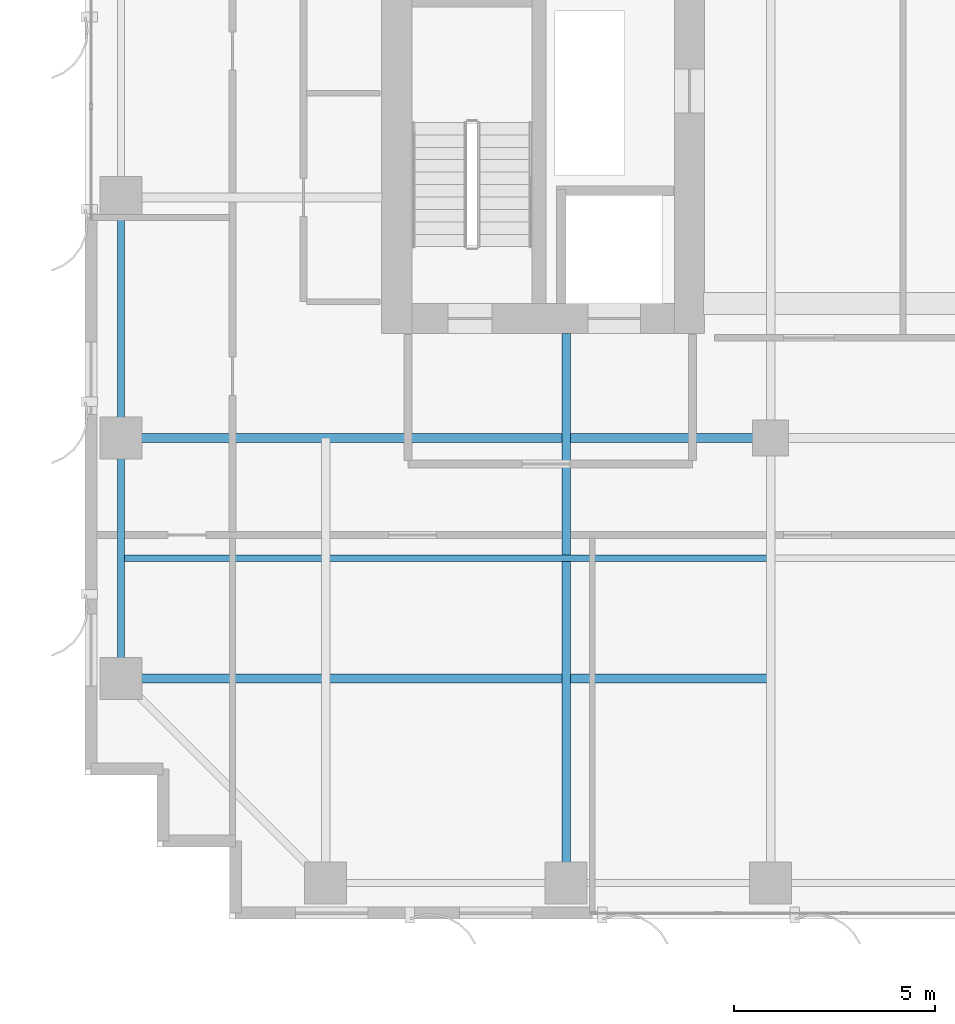
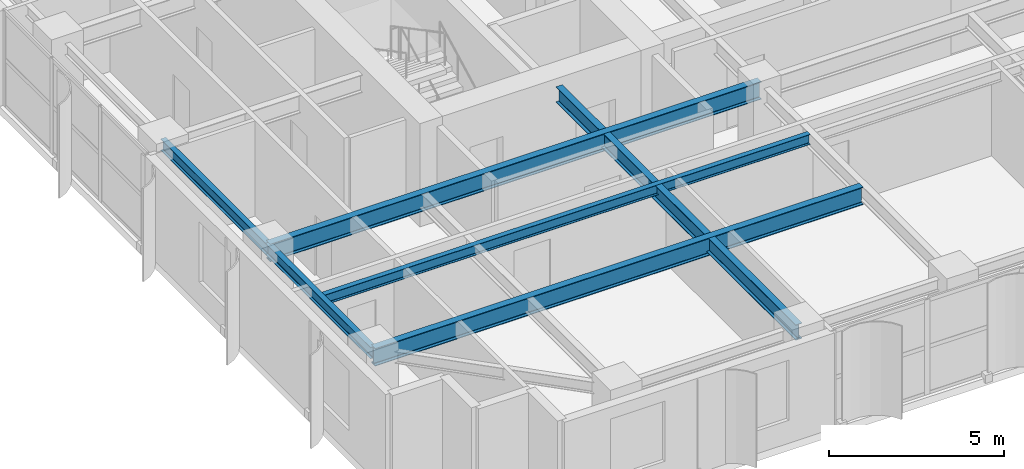
# One storey, part 3 of 22: 6 beams.
"""IFC4 building model written with IfcOpenShell, lengths in metres."""

from ifc_helpers import new_model, si_unit, direction, frame, origin, origin_2d, place, context, subcontext, project, spatial, i_section, extrude, source, transform, mapped, material, material_profile, profile_set, type_object, element, save


model = new_model("IFC4")

# Units and contexts
model_context = context("Model", 3, precision=1e-05, world=origin(), true_north=direction((0.0, 1.0)))
body_context = subcontext(model_context, "Body", "Model", "MODEL_VIEW")
ifc_project = project(units=[si_unit("LENGTHUNIT", "METRE"), si_unit("AREAUNIT", "SQUARE_METRE"), si_unit("VOLUMEUNIT", "CUBIC_METRE"), si_unit("PLANEANGLEUNIT", "RADIAN"), si_unit("MASSUNIT", "GRAM", prefix="KILO")], contexts=[model_context])

# Site, building, storey
site_placement = place(None, origin())
site = spatial("IfcSite", under=ifc_project, at=site_placement, CompositionType="ELEMENT")
building_placement = place(site_placement, origin())
building = spatial("IfcBuilding", under=site, at=building_placement, Name="Khoralis Quay Care Tower", CompositionType="ELEMENT")
storey_placement = place(building_placement, frame((0.0, 0.0, 141.300048828125)))
storey = spatial("IfcBuildingStorey", under=building, at=storey_placement, Name="L37", CompositionType="ELEMENT", Elevation=141.300048828125)

# Beams
ifc_material = material(Name="Steel S355", Category="steel")
ifc_material_profile_1 = material_profile(ifc_material, i_section(OverallWidth=0.179931640625, OverallDepth=0.39990234375, WebThickness=0.008544921875, FlangeThickness=0.013427734375, FilletRadius=0.02099609375, at=origin_2d()), Name="Steel S355")
ifc_profile_set_1 = profile_set([ifc_material_profile_1], Name="Steel S355")
beam_type_1 = type_object("IfcBeamType", Name="BM-IPE400", PredefinedType="SPANDREL", material=ifc_profile_set_1)
shared_shape_1 = source(origin(), body_context, "Body", "SweptSolid", [
    extrude(i_section(OverallWidth=0.179931640625, OverallDepth=0.39990234375, WebThickness=0.008544921875, FlangeThickness=0.013427734375, FilletRadius=0.02099609375, at=origin_2d()), origin(), (0.0, 0.0, 1.0), 6.0),
])
for number, where, z_axis, x_axis, name in (
    (1, (0.89990234375, 6.0, 3.119873046875), (0.0, 1.0, 0.0), (-1.0, 0.0, 0.0), "BM-TSP-L37-11"),
    (2, (0.89990234375, 12.0, 3.119873046875), (0.0, 1.0, 0.0), (-1.0, 0.0, 0.0), "BM-TSP-L37-12"),
):
    element("IfcBeam", number, at=place(storey_placement, frame(where, z_axis=z_axis, x_axis=x_axis)), inside=storey, type_object=beam_type_1, Name=name, PredefinedType="SPANDREL", context=body_context, shape_type="MappedRepresentation", body=[
        mapped(shared_shape_1, transform((0.0, 0.0, 0.0), scale=1.0)),
    ])
ifc_material_profile_2 = material_profile(ifc_material, i_section(OverallWidth=0.22998046875, OverallDepth=0.616943359375, WebThickness=0.01318359375, FlangeThickness=0.022216796875, FilletRadius=0.01806640625, at=origin_2d()), Name="Steel S355")
ifc_profile_set_2 = profile_set([ifc_material_profile_2], Name="Steel S355")
beam_type_2 = type_object("IfcBeamType", Name="BM-W610X140", PredefinedType="BEAM", material=ifc_profile_set_2)
shared_shape_2 = source(origin(), body_context, "Body", "SweptSolid", [
    extrude(i_section(OverallWidth=0.22998046875, OverallDepth=0.616943359375, WebThickness=0.01318359375, FlangeThickness=0.022216796875, FilletRadius=0.01806640625, at=origin_2d()), origin(), (0.0, 0.0, 1.0), 16.106201171875),
])
beam_1_placement = place(storey_placement, frame((0.89990234375, 6.0, 3.011474609375), z_axis=(1.0, 0.0, 0.0), x_axis=(0.0, 1.0, 0.0)))
element("IfcBeam", 3, at=beam_1_placement, inside=storey, type_object=beam_type_2, Name="BM-TGXW-L37-60", PredefinedType="BEAM", context=body_context, shape_type="MappedRepresentation", body=[
    mapped(shared_shape_2, transform((0.0, 0.0, 0.0), scale=1.0)),
])
shared_shape_3 = source(origin(), body_context, "Body", "SweptSolid", [
    extrude(i_section(OverallWidth=0.22998046875, OverallDepth=0.616943359375, WebThickness=0.01318359375, FlangeThickness=0.022216796875, FilletRadius=0.01806640625, at=origin_2d()), origin(), (0.0, 0.0, 1.0), 16.2001953125),
])
beam_2_placement = place(storey_placement, frame((0.89990234375, 12.0, 3.011474609375), z_axis=(1.0, 0.0, 0.0), x_axis=(0.0, 1.0, 0.0)))
element("IfcBeam", 4, at=beam_2_placement, inside=storey, type_object=beam_type_2, Name="BM-TGXW-L37-120", PredefinedType="BEAM", context=body_context, shape_type="MappedRepresentation", body=[
    mapped(shared_shape_3, transform((0.0, 0.0, 0.0), scale=1.0)),
])
ifc_material_profile_3 = material_profile(ifc_material, i_section(OverallWidth=0.2119140625, OverallDepth=0.5439453125, WebThickness=0.01318359375, FlangeThickness=0.021240234375, FilletRadius=0.01611328125, at=origin_2d()), Name="Steel S355")
ifc_profile_set_3 = profile_set([ifc_material_profile_3], Name="Steel S355")
beam_type_3 = type_object("IfcBeamType", Name="BM-W530X123", PredefinedType="BEAM", material=ifc_profile_set_3)
shared_shape_4 = source(origin(), body_context, "Body", "SweptSolid", [
    extrude(i_section(OverallWidth=0.2119140625, OverallDepth=0.5439453125, WebThickness=0.01318359375, FlangeThickness=0.021240234375, FilletRadius=0.01611328125, at=origin_2d()), origin(), (0.0, 0.0, 1.0), 13.7021484375),
])
beam_3_placement = place(storey_placement, frame((12.0, 0.89990234375, 3.0478515625), z_axis=(0.0, 1.0, 0.0), x_axis=(-1.0, 0.0, 0.0)))
element("IfcBeam", 5, at=beam_3_placement, inside=storey, type_object=beam_type_3, Name="BM-TGYS-L37-120", PredefinedType="BEAM", context=body_context, shape_type="MappedRepresentation", body=[
    mapped(shared_shape_4, transform((0.0, 0.0, 0.0), scale=1.0)),
])
ifc_material_profile_4 = material_profile(ifc_material, i_section(OverallWidth=0.1708984375, OverallDepth=0.35498046875, WebThickness=0.007080078125, FlangeThickness=0.01171875, FilletRadius=0.012939453125, at=origin_2d()), Name="Steel S355")
ifc_profile_set_4 = profile_set([ifc_material_profile_4], Name="Steel S355")
beam_type_4 = type_object("IfcBeamType", Name="BM-W360X51", PredefinedType="JOIST", material=ifc_profile_set_4)
shared_shape_5 = source(origin(), body_context, "Body", "SweptSolid", [
    extrude(i_section(OverallWidth=0.1708984375, OverallDepth=0.35498046875, WebThickness=0.007080078125, FlangeThickness=0.01171875, FilletRadius=0.012939453125, at=origin_2d()), origin(), (0.0, 0.0, 1.0), 16.030029296875),
])
beam_4_placement = place(storey_placement, frame((0.97607421875, 9.0, 3.142333984375), z_axis=(1.0, 0.0, 0.0), x_axis=(0.0, 1.0, 0.0)))
element("IfcBeam", 6, at=beam_4_placement, inside=storey, type_object=beam_type_4, Name="BM-TJS-L37-25", PredefinedType="JOIST", context=body_context, shape_type="MappedRepresentation", body=[
    mapped(shared_shape_5, transform((0.0, 0.0, 0.0), scale=1.0)),
])

save(model, "model.ifc")
